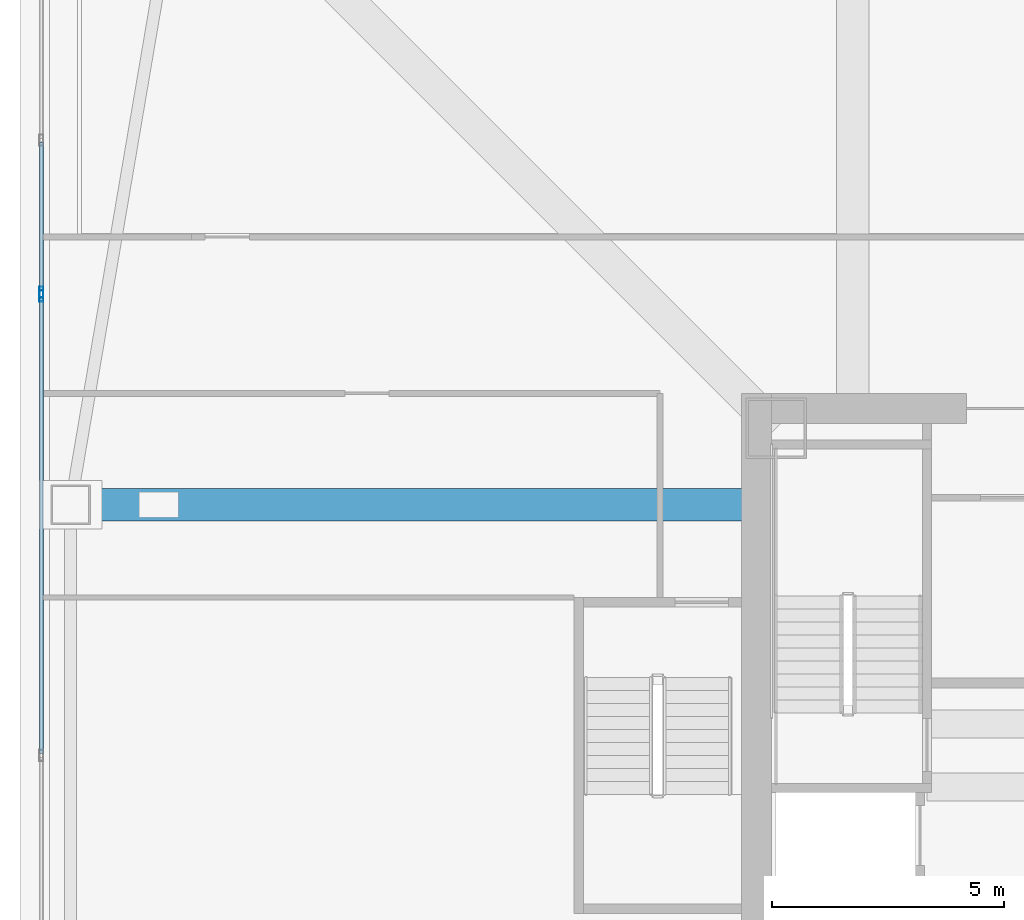
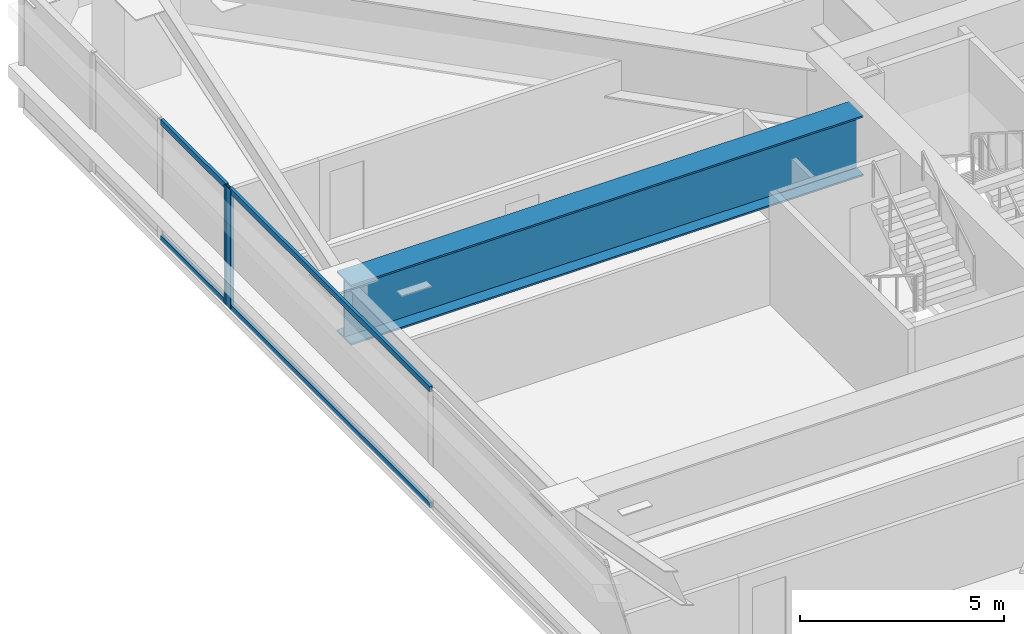
# One storey, part 12 of 48: 6 members, 1 beam, 2 elements without a shape of their own.
"""IFC4 building model written with IfcOpenShell, lengths in metres."""

from ifc_helpers import new_model, si_unit, direction, frame, origin, origin_2d, place, context, subcontext, project, spatial, hollow_rectangle, i_section, extrude, material, material_profile, profile_set, type_object, element, aggregate, save


model = new_model("IFC4")

# Units and contexts
model_context = context("Model", 3, precision=1e-05, world=origin(), true_north=direction((0.0, 1.0)))
body_context = subcontext(model_context, "Body", "Model", "MODEL_VIEW")
ifc_project = project(units=[si_unit("LENGTHUNIT", "METRE"), si_unit("AREAUNIT", "SQUARE_METRE"), si_unit("VOLUMEUNIT", "CUBIC_METRE"), si_unit("PLANEANGLEUNIT", "RADIAN"), si_unit("MASSUNIT", "GRAM", prefix="KILO")], contexts=[model_context])

# Site, building, storey
site_placement = place(None, origin())
site = spatial("IfcSite", under=ifc_project, at=site_placement, CompositionType="ELEMENT")
building_placement = place(site_placement, origin())
building = spatial("IfcBuilding", under=site, at=building_placement, Name="Tashvorn Skyway Center", CompositionType="ELEMENT")
storey_placement = place(building_placement, frame((0.0, 0.0, 63.64990234375)))
storey = spatial("IfcBuildingStorey", under=building, at=storey_placement, Name="L16", CompositionType="ELEMENT", Elevation=63.64990234375)

# Beam
ifc_material_1 = material(Name="Steel ASTM A572 Grade 50", Category="steel")
ifc_material_profile_1 = material_profile(ifc_material_1, i_section(OverallWidth=0.699951171875, OverallDepth=1.800048828125, WebThickness=0.031982421875, FlangeThickness=0.050048828125, at=origin_2d()), Name="PG1800x700")
ifc_profile_set_1 = profile_set([ifc_material_profile_1], Name="Steel ASTM A572 Grade 50")
beam_type = type_object("IfcBeamType", Name="BM-BEAM-PG1800x700", PredefinedType="BEAM", material=ifc_profile_set_1)
beam_placement = place(storey_placement, frame((19.75, 37.39990234375, 2.4501953125), z_axis=(1.0, 0.0, 0.0), x_axis=(0.0, 1.0, 0.0)))
element("IfcBeam", 1, at=beam_placement, inside=storey, type_object=beam_type, Name="Tower 1 L16 Setback Transfer Girder FC-W1", PredefinedType="BEAM", context=body_context, shape_type="SweptSolid", body=[
    extrude(i_section(OverallWidth=0.699951171875, OverallDepth=1.800048828125, WebThickness=0.031982421875, FlangeThickness=0.050048828125, at=origin_2d()), origin(), (0.0, 0.0, 1.0), 14.469970703125),
])

# Curtain wall, member
ifc_material_2 = material(Name="Thermally broken bronze-anodized aluminium 6063-T6", Category="aluminium")
curtain_wall_type = type_object("IfcCurtainWallType", Name="CW-CW-Z1", PredefinedType="NOTDEFINED", material=ifc_material_2)
curtain_wall_1_placement = place(storey_placement, origin())
curtain_wall_1 = element("IfcCurtainWall", 2, at=curtain_wall_1_placement, inside=storey, type_object=curtain_wall_type, Name="Tower 1 L16 West Unitised Curtain Wall Glazing Group 2", PredefinedType="NOTDEFINED")
ifc_material_profile_2 = material_profile(ifc_material_2, hollow_rectangle(XDim=0.0849609375, YDim=0.239990234375, WallThickness=0.0048828125, at=origin_2d()), Name="ALU-MULL-85x240")
ifc_profile_set_2 = profile_set([ifc_material_profile_2], Name="Thermally broken bronze-anodized aluminium 6063-T6")
member_type_1 = type_object("IfcMemberType", Name="CWM-CW-Z1", PredefinedType="MULLION", material=ifc_profile_set_2)
member_1_placement = place(storey_placement, frame((19.1201171875, 41.8974609375, 0.0), z_axis=(0.0, 0.0, 1.0), x_axis=(-1.0, 0.0, 0.0)))
member_1 = element("IfcMember", 3, at=member_1_placement, type_object=member_type_1, Name="CW-Z1 mullion 3", PredefinedType="MULLION", context=body_context, shape_type="SweptSolid", body=[
    extrude(hollow_rectangle(XDim=0.0849609375, YDim=0.239990234375, WallThickness=0.0048828125, at=origin_2d()), origin(), (0.0, 0.0, 1.0), 3.550048828125),
])

curtain_wall_2_placement = place(storey_placement, origin())
curtain_wall_2 = element("IfcCurtainWall", 4, at=curtain_wall_2_placement, inside=storey, type_object=curtain_wall_type, Name="Tower 1 L16 West Unitised Curtain Wall Glazing Group 3", PredefinedType="NOTDEFINED")
member_2_placement = place(storey_placement, frame((19.1201171875, 41.982421875, 0.0), z_axis=(0.0, 0.0, 1.0), x_axis=(-1.0, 0.0, 0.0)))
member_2 = element("IfcMember", 5, at=member_2_placement, type_object=member_type_1, Name="CW-Z1 mullion 1", PredefinedType="MULLION", context=body_context, shape_type="SweptSolid", body=[
    extrude(hollow_rectangle(XDim=0.0849609375, YDim=0.239990234375, WallThickness=0.0048828125, at=origin_2d()), origin(), (0.0, 0.0, 1.0), 3.550048828125),
])

# Member
ifc_material_profile_3 = material_profile(ifc_material_2, hollow_rectangle(XDim=0.0849609375, YDim=0.1650390625, WallThickness=0.0048828125, at=origin_2d()), Name="ALU-TRAN-85x165")
ifc_profile_set_3 = profile_set([ifc_material_profile_3], Name="Thermally broken bronze-anodized aluminium 6063-T6")
member_type_2 = type_object("IfcMemberType", Name="CWT-CW-Z1", PredefinedType="USERDEFINED", material=ifc_profile_set_3)
member_3_placement = place(storey_placement, frame((19.1201171875, 32.04248046875, 0.04248046875), z_axis=(0.0, 1.0, 0.0), x_axis=(-1.0, 0.0, 0.0)))
member_3 = element("IfcMember", 6, at=member_3_placement, type_object=member_type_2, Name="CW-Z1 transom 2.1", ObjectType="TRANSOM", PredefinedType="USERDEFINED", context=body_context, shape_type="SweptSolid", body=[
    extrude(hollow_rectangle(XDim=0.0849609375, YDim=0.1650390625, WallThickness=0.0048828125, at=origin_2d()), origin(), (0.0, 0.0, 1.0), 9.8125),
])

member_4_placement = place(storey_placement, frame((19.1201171875, 32.04248046875, 3.507568359375), z_axis=(0.0, 1.0, 0.0), x_axis=(-1.0, 0.0, 0.0)))
member_4 = element("IfcMember", 7, at=member_4_placement, type_object=member_type_2, Name="CW-Z1 transom 2.2", ObjectType="TRANSOM", PredefinedType="USERDEFINED", context=body_context, shape_type="SweptSolid", body=[
    extrude(hollow_rectangle(XDim=0.0849609375, YDim=0.1650390625, WallThickness=0.0048828125, at=origin_2d()), origin(), (0.0, 0.0, 1.0), 9.8125),
])

aggregate(curtain_wall_1, [member_1, member_3, member_4])

member_5_placement = place(storey_placement, frame((19.1201171875, 42.02490234375, 0.04248046875), z_axis=(0.0, 1.0, 0.0), x_axis=(-1.0, 0.0, 0.0)))
member_5 = element("IfcMember", 8, at=member_5_placement, type_object=member_type_2, Name="CW-Z1 transom 1.1", ObjectType="TRANSOM", PredefinedType="USERDEFINED", context=body_context, shape_type="SweptSolid", body=[
    extrude(hollow_rectangle(XDim=0.0849609375, YDim=0.1650390625, WallThickness=0.0048828125, at=origin_2d()), origin(), (0.0, 0.0, 1.0), 3.18603515625),
])

member_6_placement = place(storey_placement, frame((19.1201171875, 42.02490234375, 3.507568359375), z_axis=(0.0, 1.0, 0.0), x_axis=(-1.0, 0.0, 0.0)))
member_6 = element("IfcMember", 9, at=member_6_placement, type_object=member_type_2, Name="CW-Z1 transom 1.2", ObjectType="TRANSOM", PredefinedType="USERDEFINED", context=body_context, shape_type="SweptSolid", body=[
    extrude(hollow_rectangle(XDim=0.0849609375, YDim=0.1650390625, WallThickness=0.0048828125, at=origin_2d()), origin(), (0.0, 0.0, 1.0), 3.18603515625),
])

aggregate(curtain_wall_2, [member_2, member_5, member_6])

save(model, "model.ifc")
